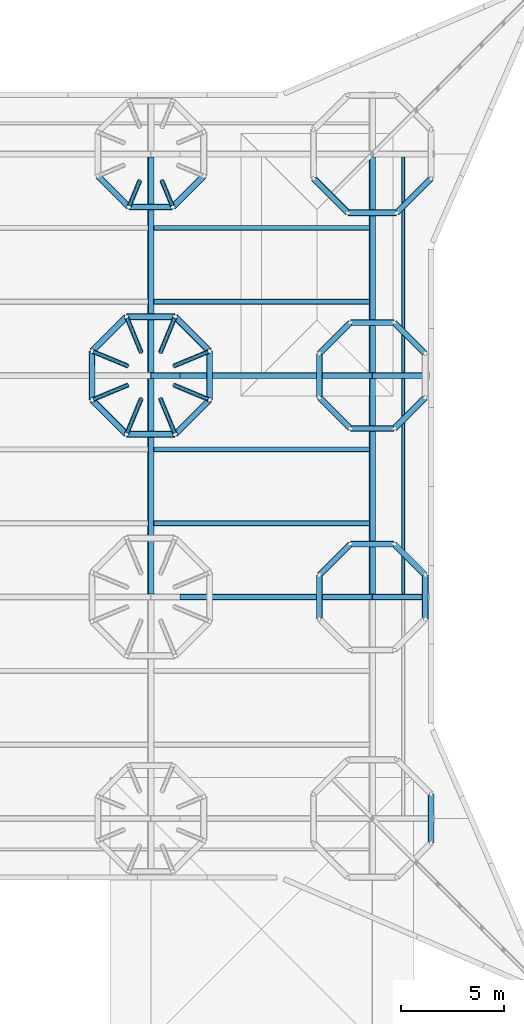
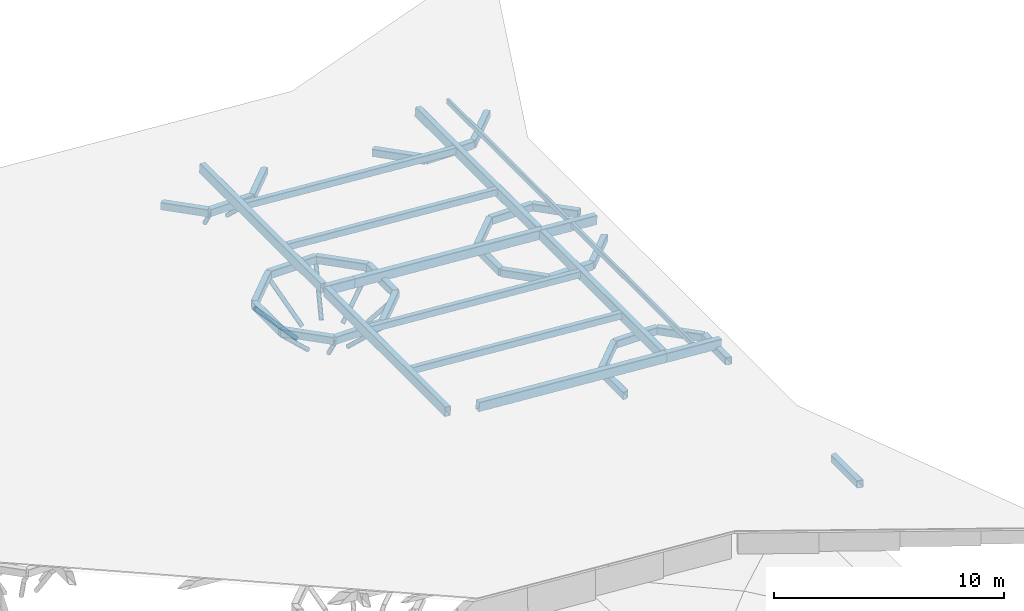
# One storey, part 40 of 95: 42 beams, 10 members.
"""IFC4 building model written with IfcOpenShell, lengths in metres."""

from ifc_helpers import new_model, si_unit, direction, frame, origin, origin_2d, place, context, subcontext, project, spatial, hollow_rectangle, hollow_circle, extrude, clip, halfspace, material, material_profile, profile_set, type_object, element, save


model = new_model("IFC4")

# Units and contexts
model_context = context("Model", 3, precision=1e-05, world=origin(), true_north=direction((0.0, 1.0)))
body_context = subcontext(model_context, "Body", "Model", "MODEL_VIEW")
ifc_project = project(units=[si_unit("LENGTHUNIT", "METRE"), si_unit("AREAUNIT", "SQUARE_METRE"), si_unit("VOLUMEUNIT", "CUBIC_METRE"), si_unit("PLANEANGLEUNIT", "RADIAN"), si_unit("MASSUNIT", "GRAM", prefix="KILO")], contexts=[model_context])

# Site, building, storey
site_placement = place(None, origin())
site = spatial("IfcSite", under=ifc_project, at=site_placement, CompositionType="ELEMENT")
building_placement = place(site_placement, origin())
building = spatial("IfcBuilding", under=site, at=building_placement, Name="Magnolia Steps Interchange", CompositionType="ELEMENT")
storey_placement = place(building_placement, frame((0.0, 0.0, 4.800048828125)))
storey = spatial("IfcBuildingStorey", under=building, at=storey_placement, Name="L01", CompositionType="ELEMENT", Elevation=4.800048828125)

# Beams
ifc_material_1 = material(Name="Steel Q355B", Category="steel")
ifc_material_profile_1 = material_profile(ifc_material_1, hollow_rectangle(XDim=0.300048828125, YDim=0.39990234375, WallThickness=0.013916015625, InnerFilletRadius=0.013916015625, OuterFilletRadius=0.028076171875, at=origin_2d()), Name="RHS400x300x14")
ifc_profile_set_1 = profile_set([ifc_material_profile_1], Name="Steel Q355B")
beam_type_1 = type_object("IfcBeamType", Name="Ring beam RHS400x300x14", PredefinedType="BEAM", material=ifc_profile_set_1)
beam_1_placement = place(storey_placement, frame((174.864013671875, 65.186279296875, 1.756103515625), z_axis=(-0.707106781187, 0.707106781187, 0.0), x_axis=(-0.707106781187, -0.707106781187, 0.0)))
element("IfcBeam", 1, at=beam_1_placement, inside=storey, type_object=beam_type_1, Name="Ring beam TC03C", PredefinedType="BEAM", context=body_context, shape_type="Clipping", body=[
    clip(clip(extrude(hollow_rectangle(XDim=0.300048828125, YDim=0.39990234375, WallThickness=0.013916015625, InnerFilletRadius=0.013916015625, OuterFilletRadius=0.028076171875, at=origin_2d()), origin(), (0.0, 0.0, 1.0), 2.37255859375), halfspace(frame((0.0, 0.0, 0.0), z_axis=(0.382683433, 0.0, -0.923879532), x_axis=(0.923879532, 0.0, 0.382683433)), False)), halfspace(frame((0.0, 0.0, 2.372674707), z_axis=(0.382683433, 0.0, 0.923879532), x_axis=(0.923879532, 0.0, -0.382683433)), False)),
])
beam_2_placement = place(storey_placement, frame((173.186279296875, 66.864013671875, 1.756103515625), z_axis=(-1.0, 0.0, 0.0), x_axis=(0.0, -1.0, 0.0)))
element("IfcBeam", 2, at=beam_2_placement, inside=storey, type_object=beam_type_1, Name="Ring beam TC03C", PredefinedType="BEAM", context=body_context, shape_type="Clipping", body=[
    clip(clip(extrude(hollow_rectangle(XDim=0.300048828125, YDim=0.39990234375, WallThickness=0.013916015625, InnerFilletRadius=0.013916015625, OuterFilletRadius=0.028076171875, at=origin_2d()), origin(), (0.0, 0.0, 1.0), 2.37255859375), halfspace(frame((0.0, 0.0, 0.0), z_axis=(0.382683432, 0.0, -0.923879533), x_axis=(0.923879533, 0.0, 0.382683432)), False)), halfspace(frame((0.0, 0.0, 2.372558594), z_axis=(0.382683432, 0.0, 0.923879533), x_axis=(0.923879533, 0.0, -0.382683432)), False)),
])
beam_3_placement = place(storey_placement, frame((170.813720703125, 66.864013671875, 1.756103515625), z_axis=(-0.707106781187, -0.707106781187, 0.0), x_axis=(0.707106781187, -0.707106781187, 0.0)))
element("IfcBeam", 3, at=beam_3_placement, inside=storey, type_object=beam_type_1, Name="Ring beam TC03C", PredefinedType="BEAM", context=body_context, shape_type="Clipping", body=[
    clip(clip(extrude(hollow_rectangle(XDim=0.300048828125, YDim=0.39990234375, WallThickness=0.013916015625, InnerFilletRadius=0.013916015625, OuterFilletRadius=0.028076171875, at=origin_2d()), origin(), (0.0, 0.0, 1.0), 2.37255859375), halfspace(frame((0.0, 0.0, 0.0), z_axis=(0.382683433, 0.0, -0.923879532), x_axis=(0.923879532, 0.0, 0.382683433)), False)), halfspace(frame((0.0, 0.0, 2.372674707), z_axis=(0.382683433, 0.0, 0.923879532), x_axis=(0.923879532, 0.0, -0.382683433)), False)),
])
beam_4_placement = place(storey_placement, frame((169.135986328125, 65.186279296875, 1.756103515625), z_axis=(0.0, -1.0, 0.0), x_axis=(1.0, 0.0, 0.0)))
element("IfcBeam", 4, at=beam_4_placement, inside=storey, type_object=beam_type_1, Name="Ring beam TC03C", PredefinedType="BEAM", context=body_context, shape_type="Clipping", body=[
    clip(clip(extrude(hollow_rectangle(XDim=0.300048828125, YDim=0.39990234375, WallThickness=0.013916015625, InnerFilletRadius=0.013916015625, OuterFilletRadius=0.028076171875, at=origin_2d()), origin(), (0.0, 0.0, 1.0), 2.37255859375), halfspace(frame((0.0, 0.0, 0.0), z_axis=(0.382683432, 0.0, -0.923879533), x_axis=(0.923879533, 0.0, 0.382683432)), False)), halfspace(frame((0.0, 0.0, 2.372558594), z_axis=(0.382683432, 0.0, 0.923879533), x_axis=(0.923879533, 0.0, -0.382683432)), False)),
])
beam_5_placement = place(storey_placement, frame((169.135986328125, 62.813720703125, 1.756103515625), z_axis=(0.707106781187, -0.707106781187, 0.0), x_axis=(0.707106781187, 0.707106781187, 0.0)))
element("IfcBeam", 5, at=beam_5_placement, inside=storey, type_object=beam_type_1, Name="Ring beam TC03C", PredefinedType="BEAM", context=body_context, shape_type="Clipping", body=[
    clip(clip(extrude(hollow_rectangle(XDim=0.300048828125, YDim=0.39990234375, WallThickness=0.013916015625, InnerFilletRadius=0.013916015625, OuterFilletRadius=0.028076171875, at=origin_2d()), origin(), (0.0, 0.0, 1.0), 2.37255859375), halfspace(frame((0.0, 0.0, 0.0), z_axis=(0.382683433, 0.0, -0.923879532), x_axis=(0.923879532, 0.0, 0.382683433)), False)), halfspace(frame((0.0, 0.0, 2.372674707), z_axis=(0.382683433, 0.0, 0.923879532), x_axis=(0.923879532, 0.0, -0.382683433)), False)),
])
beam_6_placement = place(storey_placement, frame((170.813720703125, 61.135986328125, 1.756103515625), z_axis=(1.0, 0.0, 0.0), x_axis=(0.0, 1.0, 0.0)))
element("IfcBeam", 6, at=beam_6_placement, inside=storey, type_object=beam_type_1, Name="Ring beam TC03C", PredefinedType="BEAM", context=body_context, shape_type="Clipping", body=[
    clip(clip(extrude(hollow_rectangle(XDim=0.300048828125, YDim=0.39990234375, WallThickness=0.013916015625, InnerFilletRadius=0.013916015625, OuterFilletRadius=0.028076171875, at=origin_2d()), origin(), (0.0, 0.0, 1.0), 2.37255859375), halfspace(frame((0.0, 0.0, 0.0), z_axis=(0.382683432, 0.0, -0.923879533), x_axis=(0.923879533, 0.0, 0.382683432)), False)), halfspace(frame((0.0, 0.0, 2.372558594), z_axis=(0.382683432, 0.0, 0.923879533), x_axis=(0.923879533, 0.0, -0.382683432)), False)),
])
beam_7_placement = place(storey_placement, frame((173.186279296875, 61.135986328125, 1.756103515625), z_axis=(0.707106781187, 0.707106781187, 0.0), x_axis=(-0.707106781187, 0.707106781187, 0.0)))
element("IfcBeam", 7, at=beam_7_placement, inside=storey, type_object=beam_type_1, Name="Ring beam TC03C", PredefinedType="BEAM", context=body_context, shape_type="Clipping", body=[
    clip(clip(extrude(hollow_rectangle(XDim=0.300048828125, YDim=0.39990234375, WallThickness=0.013916015625, InnerFilletRadius=0.013916015625, OuterFilletRadius=0.028076171875, at=origin_2d()), origin(), (0.0, 0.0, 1.0), 2.37255859375), halfspace(frame((0.0, 0.0, 0.0), z_axis=(0.382683433, 0.0, -0.923879532), x_axis=(0.923879532, 0.0, 0.382683433)), False)), halfspace(frame((0.0, 0.0, 2.372674707), z_axis=(0.382683433, 0.0, 0.923879532), x_axis=(0.923879532, 0.0, -0.382683433)), False)),
])
beam_8_placement = place(storey_placement, frame((174.864013671875, 62.813720703125, 1.756103515625), z_axis=(0.0, 1.0, 0.0), x_axis=(-1.0, 0.0, 0.0)))
element("IfcBeam", 8, at=beam_8_placement, inside=storey, type_object=beam_type_1, Name="Ring beam TC03C", PredefinedType="BEAM", context=body_context, shape_type="Clipping", body=[
    clip(clip(extrude(hollow_rectangle(XDim=0.300048828125, YDim=0.39990234375, WallThickness=0.013916015625, InnerFilletRadius=0.013916015625, OuterFilletRadius=0.028076171875, at=origin_2d()), origin(), (0.0, 0.0, 1.0), 2.37255859375), halfspace(frame((0.0, 0.0, 0.0), z_axis=(0.382683432, 0.0, -0.923879533), x_axis=(0.923879533, 0.0, 0.382683432)), False)), halfspace(frame((0.0, 0.0, 2.372558594), z_axis=(0.382683432, 0.0, 0.923879533), x_axis=(0.923879533, 0.0, -0.382683432)), False)),
])
beam_9_placement = place(storey_placement, frame((169.419921875, 73.731201171875, 1.756103515625), z_axis=(0.707163891131, -0.707049666629, 0.0), x_axis=(0.707049666629, 0.707163891131, 0.0)))
element("IfcBeam", 9, at=beam_9_placement, inside=storey, type_object=beam_type_1, Name="Ring beam TC03D", PredefinedType="BEAM", context=body_context, shape_type="Clipping", body=[
    clip(clip(extrude(hollow_rectangle(XDim=0.300048828125, YDim=0.39990234375, WallThickness=0.013916015625, InnerFilletRadius=0.013916015625, OuterFilletRadius=0.028076171875, at=origin_2d()), origin(), (0.0, 0.0, 1.0), 2.137451171875), halfspace(frame((0.0, 0.0, 0.0), z_axis=(0.382758052, 0.0, -0.92384862), x_axis=(0.923848621, 0.0, 0.382758052)), False)), halfspace(frame((0.0, 0.0, 2.137375265), z_axis=(0.382608811, 0.0, 0.923910438), x_axis=(0.923910438, 0.0, -0.382608811)), False)),
])
beam_10_placement = place(storey_placement, frame((170.931396484375, 72.219970703125, 1.756103515625), z_axis=(1.0, 0.0, 0.0), x_axis=(0.0, 1.0, 0.0)))
element("IfcBeam", 10, at=beam_10_placement, inside=storey, type_object=beam_type_1, Name="Ring beam TC03D", PredefinedType="BEAM", context=body_context, shape_type="Clipping", body=[
    clip(clip(extrude(hollow_rectangle(XDim=0.300048828125, YDim=0.39990234375, WallThickness=0.013916015625, InnerFilletRadius=0.013916015625, OuterFilletRadius=0.028076171875, at=origin_2d()), origin(), (0.0, 0.0, 1.0), 2.13720703125), halfspace(frame((0.0, 0.0, 0.0), z_axis=(0.382683432, 0.0, -0.923879533), x_axis=(0.923879533, 0.0, 0.382683432)), False)), halfspace(frame((0.0, 0.0, 2.137207031), z_axis=(0.382683432, 0.0, 0.923879533), x_axis=(0.923879533, 0.0, -0.382683432)), False)),
])
beam_11_placement = place(storey_placement, frame((173.068603515625, 72.219970703125, 1.756103515625), z_axis=(0.707163891131, 0.707049666629, 0.0), x_axis=(-0.707049666629, 0.707163891131, 0.0)))
element("IfcBeam", 11, at=beam_11_placement, inside=storey, type_object=beam_type_1, Name="Ring beam TC03D", PredefinedType="BEAM", context=body_context, shape_type="Clipping", body=[
    clip(clip(extrude(hollow_rectangle(XDim=0.300048828125, YDim=0.39990234375, WallThickness=0.013916015625, InnerFilletRadius=0.013916015625, OuterFilletRadius=0.028076171875, at=origin_2d()), origin(), (0.0, 0.0, 1.0), 2.137451171875), halfspace(frame((0.0, 0.0, 0.0), z_axis=(0.382608811, 0.0, -0.923910438), x_axis=(0.923910438, 0.0, 0.382608811)), False)), halfspace(frame((0.0, 0.0, 2.137375265), z_axis=(0.382758052, 0.0, 0.92384862), x_axis=(0.923848621, 0.0, -0.382758052)), False)),
])
beam_12_placement = place(storey_placement, frame((185.6640625, 41.213623046875, 0.96875), z_axis=(0.0, 1.0, 0.0), x_axis=(-1.0, 0.0, 0.0)))
element("IfcBeam", 12, at=beam_12_placement, inside=storey, type_object=beam_type_1, Name="Ring beam TC04A", PredefinedType="BEAM", context=body_context, shape_type="Clipping", body=[
    clip(clip(extrude(hollow_rectangle(XDim=0.300048828125, YDim=0.39990234375, WallThickness=0.013916015625, InnerFilletRadius=0.013916015625, OuterFilletRadius=0.028076171875, at=origin_2d()), origin(), (0.0, 0.0, 1.0), 2.37255859375), halfspace(frame((0.0, 0.0, 0.0), z_axis=(0.382683432, 0.0, -0.923879533), x_axis=(0.923879533, 0.0, 0.382683432)), False)), halfspace(frame((0.0, 0.0, 2.372558594), z_axis=(0.382683432, 0.0, 0.923879533), x_axis=(0.923879533, 0.0, -0.382683432)), False)),
])
beam_13_placement = place(storey_placement, frame((185.3798828125, 54.268798828125, 0.96875), z_axis=(-0.707106781187, 0.707106781187, 0.0), x_axis=(-0.707106781187, -0.707106781187, 0.0)))
element("IfcBeam", 13, at=beam_13_placement, inside=storey, type_object=beam_type_1, Name="Ring beam TC04B", PredefinedType="BEAM", context=body_context, shape_type="Clipping", body=[
    clip(clip(extrude(hollow_rectangle(XDim=0.300048828125, YDim=0.39990234375, WallThickness=0.013916015625, InnerFilletRadius=0.013916015625, OuterFilletRadius=0.028076171875, at=origin_2d()), origin(), (0.0, 0.0, 1.0), 2.13720703125), halfspace(frame((0.0, 0.0, 0.0), z_axis=(0.382683433, 0.0, -0.923879532), x_axis=(0.923879532, 0.0, 0.382683433)), False)), halfspace(frame((0.0, 0.0, 2.137202625), z_axis=(0.382683433, 0.0, 0.923879532), x_axis=(0.923879532, 0.0, -0.382683433)), False)),
])
beam_14_placement = place(storey_placement, frame((183.86865234375, 55.780029296875, 0.96875), z_axis=(-1.0, 0.0, 0.0), x_axis=(0.0, -1.0, 0.0)))
element("IfcBeam", 14, at=beam_14_placement, inside=storey, type_object=beam_type_1, Name="Ring beam TC04B", PredefinedType="BEAM", context=body_context, shape_type="Clipping", body=[
    clip(clip(extrude(hollow_rectangle(XDim=0.300048828125, YDim=0.39990234375, WallThickness=0.013916015625, InnerFilletRadius=0.013916015625, OuterFilletRadius=0.028076171875, at=origin_2d()), origin(), (0.0, 0.0, 1.0), 2.137451171875), halfspace(frame((0.0, 0.0, 0.0), z_axis=(0.382683432, 0.0, -0.923879533), x_axis=(0.923879533, 0.0, 0.382683432)), False)), halfspace(frame((0.0, 0.0, 2.137451172), z_axis=(0.382683432, 0.0, 0.923879533), x_axis=(0.923879533, 0.0, -0.382683432)), False)),
])
beam_15_placement = place(storey_placement, frame((181.731201171875, 55.780029296875, 0.96875), z_axis=(-0.707106781187, -0.707106781187, 0.0), x_axis=(0.707106781187, -0.707106781187, 0.0)))
element("IfcBeam", 15, at=beam_15_placement, inside=storey, type_object=beam_type_1, Name="Ring beam TC04B", PredefinedType="BEAM", context=body_context, shape_type="Clipping", body=[
    clip(clip(extrude(hollow_rectangle(XDim=0.300048828125, YDim=0.39990234375, WallThickness=0.013916015625, InnerFilletRadius=0.013916015625, OuterFilletRadius=0.028076171875, at=origin_2d()), origin(), (0.0, 0.0, 1.0), 2.13720703125), halfspace(frame((0.0, 0.0, 0.0), z_axis=(0.382683433, 0.0, -0.923879532), x_axis=(0.923879532, 0.0, 0.382683433)), False)), halfspace(frame((0.0, 0.0, 2.137202625), z_axis=(0.382683433, 0.0, 0.923879532), x_axis=(0.923879532, 0.0, -0.382683433)), False)),
])
for number, where, z_axis, x_axis, name in (
    (16, (180.219970703125, 54.268798828125, 0.96875), (0.0, -1.0, 0.0), (1.0, 0.0, 0.0), "Ring beam TC04B"),
    (17, (185.3798828125, 52.13134765625, 0.96875), (0.0, 1.0, 0.0), (-1.0, 0.0, 0.0), "Ring beam TC04B"),
):
    element("IfcBeam", number, at=place(storey_placement, frame(where, z_axis=z_axis, x_axis=x_axis)), inside=storey, type_object=beam_type_1, Name=name, PredefinedType="BEAM", context=body_context, shape_type="Clipping", body=[
        clip(clip(extrude(hollow_rectangle(XDim=0.300048828125, YDim=0.39990234375, WallThickness=0.013916015625, InnerFilletRadius=0.013916015625, OuterFilletRadius=0.028076171875, at=origin_2d()), origin(), (0.0, 0.0, 1.0), 2.137451171875), halfspace(frame((0.0, 0.0, 0.0), z_axis=(0.382683432, 0.0, -0.923879533), x_axis=(0.923879533, 0.0, 0.382683432)), False)), halfspace(frame((0.0, 0.0, 2.137451172), z_axis=(0.382683432, 0.0, 0.923879533), x_axis=(0.923879533, 0.0, -0.382683432)), False)),
    ])
beam_16_placement = place(storey_placement, frame((185.3798828125, 65.068603515625, 0.96875), z_axis=(-0.707049666629, 0.707163891131, 0.0), x_axis=(-0.707163891131, -0.707049666629, 0.0)))
element("IfcBeam", 18, at=beam_16_placement, inside=storey, type_object=beam_type_1, Name="Ring beam TC04C", PredefinedType="BEAM", context=body_context, shape_type="Clipping", body=[
    clip(clip(extrude(hollow_rectangle(XDim=0.300048828125, YDim=0.39990234375, WallThickness=0.013916015625, InnerFilletRadius=0.013916015625, OuterFilletRadius=0.028076171875, at=origin_2d()), origin(), (0.0, 0.0, 1.0), 2.137451171875), halfspace(frame((0.0, 0.0, 0.0), z_axis=(0.382608811, 0.0, -0.923910438), x_axis=(0.923910438, 0.0, 0.382608811)), False)), halfspace(frame((0.0, 0.0, 2.137375265), z_axis=(0.382758052, 0.0, 0.92384862), x_axis=(0.923848621, 0.0, -0.382758052)), False)),
])
beam_17_placement = place(storey_placement, frame((183.86865234375, 66.580078125, 0.96875), z_axis=(-1.0, 0.0, 0.0), x_axis=(0.0, -1.0, 0.0)))
element("IfcBeam", 19, at=beam_17_placement, inside=storey, type_object=beam_type_1, Name="Ring beam TC04C", PredefinedType="BEAM", context=body_context, shape_type="Clipping", body=[
    clip(clip(extrude(hollow_rectangle(XDim=0.300048828125, YDim=0.39990234375, WallThickness=0.013916015625, InnerFilletRadius=0.013916015625, OuterFilletRadius=0.028076171875, at=origin_2d()), origin(), (0.0, 0.0, 1.0), 2.137451171875), halfspace(frame((0.0, 0.0, 0.0), z_axis=(0.382683432, 0.0, -0.923879533), x_axis=(0.923879533, 0.0, 0.382683432)), False)), halfspace(frame((0.0, 0.0, 2.137451172), z_axis=(0.382683432, 0.0, 0.923879533), x_axis=(0.923879533, 0.0, -0.382683432)), False)),
])
beam_18_placement = place(storey_placement, frame((181.731201171875, 66.580078125, 0.96875), z_axis=(-0.707049666629, -0.707163891131, 0.0), x_axis=(0.707163891131, -0.707049666629, 0.0)))
element("IfcBeam", 20, at=beam_18_placement, inside=storey, type_object=beam_type_1, Name="Ring beam TC04C", PredefinedType="BEAM", context=body_context, shape_type="Clipping", body=[
    clip(clip(extrude(hollow_rectangle(XDim=0.300048828125, YDim=0.39990234375, WallThickness=0.013916015625, InnerFilletRadius=0.013916015625, OuterFilletRadius=0.028076171875, at=origin_2d()), origin(), (0.0, 0.0, 1.0), 2.137451171875), halfspace(frame((0.0, 0.0, 0.0), z_axis=(0.382758052, 0.0, -0.92384862), x_axis=(0.923848621, 0.0, 0.382758052)), False)), halfspace(frame((0.0, 0.0, 2.137375265), z_axis=(0.382608811, 0.0, 0.923910438), x_axis=(0.923910438, 0.0, -0.382608811)), False)),
])
beam_19_placement = place(storey_placement, frame((180.219970703125, 65.068603515625, 0.96875), z_axis=(0.0, -1.0, 0.0), x_axis=(1.0, 0.0, 0.0)))
element("IfcBeam", 21, at=beam_19_placement, inside=storey, type_object=beam_type_1, Name="Ring beam TC04C", PredefinedType="BEAM", context=body_context, shape_type="Clipping", body=[
    clip(clip(extrude(hollow_rectangle(XDim=0.300048828125, YDim=0.39990234375, WallThickness=0.013916015625, InnerFilletRadius=0.013916015625, OuterFilletRadius=0.028076171875, at=origin_2d()), origin(), (0.0, 0.0, 1.0), 2.13720703125), halfspace(frame((0.0, 0.0, 0.0), z_axis=(0.382683432, 0.0, -0.923879533), x_axis=(0.923879533, 0.0, 0.382683432)), False)), halfspace(frame((0.0, 0.0, 2.137207031), z_axis=(0.382683432, 0.0, 0.923879533), x_axis=(0.923879533, 0.0, -0.382683432)), False)),
])
beam_20_placement = place(storey_placement, frame((180.219970703125, 62.931396484375, 0.96875), z_axis=(0.707049666629, -0.707163891131, 0.0), x_axis=(0.707163891131, 0.707049666629, 0.0)))
element("IfcBeam", 22, at=beam_20_placement, inside=storey, type_object=beam_type_1, Name="Ring beam TC04C", PredefinedType="BEAM", context=body_context, shape_type="Clipping", body=[
    clip(clip(extrude(hollow_rectangle(XDim=0.300048828125, YDim=0.39990234375, WallThickness=0.013916015625, InnerFilletRadius=0.013916015625, OuterFilletRadius=0.028076171875, at=origin_2d()), origin(), (0.0, 0.0, 1.0), 2.137451171875), halfspace(frame((0.0, 0.0, 0.0), z_axis=(0.382608811, 0.0, -0.923910438), x_axis=(0.923910438, 0.0, 0.382608811)), False)), halfspace(frame((0.0, 0.0, 2.137375265), z_axis=(0.382758052, 0.0, 0.92384862), x_axis=(0.923848621, 0.0, -0.382758052)), False)),
])
beam_21_placement = place(storey_placement, frame((181.731201171875, 61.419921875, 0.96875), z_axis=(1.0, 0.0, 0.0), x_axis=(0.0, 1.0, 0.0)))
element("IfcBeam", 23, at=beam_21_placement, inside=storey, type_object=beam_type_1, Name="Ring beam TC04C", PredefinedType="BEAM", context=body_context, shape_type="Clipping", body=[
    clip(clip(extrude(hollow_rectangle(XDim=0.300048828125, YDim=0.39990234375, WallThickness=0.013916015625, InnerFilletRadius=0.013916015625, OuterFilletRadius=0.028076171875, at=origin_2d()), origin(), (0.0, 0.0, 1.0), 2.137451171875), halfspace(frame((0.0, 0.0, 0.0), z_axis=(0.382683432, 0.0, -0.923879533), x_axis=(0.923879533, 0.0, 0.382683432)), False)), halfspace(frame((0.0, 0.0, 2.137451172), z_axis=(0.382683432, 0.0, 0.923879533), x_axis=(0.923879533, 0.0, -0.382683432)), False)),
])
beam_22_placement = place(storey_placement, frame((183.86865234375, 61.419921875, 0.96875), z_axis=(0.707049666629, 0.707163891131, 0.0), x_axis=(-0.707163891131, 0.707049666629, 0.0)))
element("IfcBeam", 24, at=beam_22_placement, inside=storey, type_object=beam_type_1, Name="Ring beam TC04C", PredefinedType="BEAM", context=body_context, shape_type="Clipping", body=[
    clip(clip(extrude(hollow_rectangle(XDim=0.300048828125, YDim=0.39990234375, WallThickness=0.013916015625, InnerFilletRadius=0.013916015625, OuterFilletRadius=0.028076171875, at=origin_2d()), origin(), (0.0, 0.0, 1.0), 2.137451171875), halfspace(frame((0.0, 0.0, 0.0), z_axis=(0.382758052, 0.0, -0.92384862), x_axis=(0.923848621, 0.0, 0.382758052)), False)), halfspace(frame((0.0, 0.0, 2.137375265), z_axis=(0.382608811, 0.0, 0.923910438), x_axis=(0.923910438, 0.0, -0.382608811)), False)),
])
beam_23_placement = place(storey_placement, frame((179.93603515625, 73.61376953125, 0.96875), z_axis=(0.707106781187, -0.707106781187, 0.0), x_axis=(0.707106781187, 0.707106781187, 0.0)))
element("IfcBeam", 25, at=beam_23_placement, inside=storey, type_object=beam_type_1, Name="Ring beam TC04D", PredefinedType="BEAM", context=body_context, shape_type="Clipping", body=[
    clip(clip(extrude(hollow_rectangle(XDim=0.300048828125, YDim=0.39990234375, WallThickness=0.013916015625, InnerFilletRadius=0.013916015625, OuterFilletRadius=0.028076171875, at=origin_2d()), origin(), (0.0, 0.0, 1.0), 2.37255859375), halfspace(frame((0.0, 0.0, 0.0), z_axis=(0.382683433, 0.0, -0.923879532), x_axis=(0.923879532, 0.0, 0.382683433)), False)), halfspace(frame((0.0, 0.0, 2.372674707), z_axis=(0.382683433, 0.0, 0.923879532), x_axis=(0.923879532, 0.0, -0.382683433)), False)),
])
beam_24_placement = place(storey_placement, frame((181.61376953125, 71.93603515625, 0.96875), z_axis=(1.0, 0.0, 0.0), x_axis=(0.0, 1.0, 0.0)))
element("IfcBeam", 26, at=beam_24_placement, inside=storey, type_object=beam_type_1, Name="Ring beam TC04D", PredefinedType="BEAM", context=body_context, shape_type="Clipping", body=[
    clip(clip(extrude(hollow_rectangle(XDim=0.300048828125, YDim=0.39990234375, WallThickness=0.013916015625, InnerFilletRadius=0.013916015625, OuterFilletRadius=0.028076171875, at=origin_2d()), origin(), (0.0, 0.0, 1.0), 2.37255859375), halfspace(frame((0.0, 0.0, 0.0), z_axis=(0.382683432, 0.0, -0.923879533), x_axis=(0.923879533, 0.0, 0.382683432)), False)), halfspace(frame((0.0, 0.0, 2.372558594), z_axis=(0.382683432, 0.0, 0.923879533), x_axis=(0.923879533, 0.0, -0.382683432)), False)),
])
beam_25_placement = place(storey_placement, frame((183.986328125, 71.93603515625, 0.96875), z_axis=(0.707106781187, 0.707106781187, 0.0), x_axis=(-0.707106781187, 0.707106781187, 0.0)))
element("IfcBeam", 27, at=beam_25_placement, inside=storey, type_object=beam_type_1, Name="Ring beam TC04D", PredefinedType="BEAM", context=body_context, shape_type="Clipping", body=[
    clip(clip(extrude(hollow_rectangle(XDim=0.300048828125, YDim=0.39990234375, WallThickness=0.013916015625, InnerFilletRadius=0.013916015625, OuterFilletRadius=0.028076171875, at=origin_2d()), origin(), (0.0, 0.0, 1.0), 2.37255859375), halfspace(frame((0.0, 0.0, 0.0), z_axis=(0.382683433, 0.0, -0.923879532), x_axis=(0.923879532, 0.0, 0.382683433)), False)), halfspace(frame((0.0, 0.0, 2.372674707), z_axis=(0.382683433, 0.0, 0.923879532), x_axis=(0.923879532, 0.0, -0.382683433)), False)),
])
ifc_material_2 = material(Name="Steel Q355B", Category="steel")
ifc_material_profile_2 = material_profile(ifc_material_2, hollow_rectangle(XDim=0.300048828125, YDim=0.5, WallThickness=0.01611328125, InnerFilletRadius=0.01611328125, OuterFilletRadius=0.031982421875, at=origin_2d()), Name="RHS500x300x16")
ifc_profile_set_2 = profile_set([ifc_material_profile_2], Name="Steel Q355B")
beam_type_2 = type_object("IfcBeamType", Name="Roof beam RHS500x300x16", PredefinedType="BEAM", material=ifc_profile_set_2)
beam_26_placement = place(storey_placement, frame((173.39990234375, 53.199951171875, 2.153076171875), z_axis=(0.997353092785, 0.0, -0.072710441562), x_axis=(0.0, 1.0, 0.0)))
element("IfcBeam", 28, at=beam_26_placement, inside=storey, type_object=beam_type_2, Name="Roof beam", PredefinedType="BEAM", context=body_context, shape_type="SweptSolid", body=[
    extrude(hollow_rectangle(XDim=0.300048828125, YDim=0.5, WallThickness=0.01611328125, InnerFilletRadius=0.01611328125, OuterFilletRadius=0.031982421875, at=origin_2d()), origin(), (0.0, 0.0, 1.0), 9.425048828125),
])
beam_27_placement = place(storey_placement, frame((182.800048828125, 53.199951171875, 1.4677734375), z_axis=(0.997354349123, 0.0, -0.072693206592), x_axis=(0.0, 1.0, 0.0)))
element("IfcBeam", 29, at=beam_27_placement, inside=storey, type_object=beam_type_2, Name="Roof beam", PredefinedType="BEAM", context=body_context, shape_type="SweptSolid", body=[
    extrude(hollow_rectangle(XDim=0.300048828125, YDim=0.5, WallThickness=0.01611328125, InnerFilletRadius=0.01611328125, OuterFilletRadius=0.031982421875, at=origin_2d()), origin(), (0.0, 0.0, 1.0), 2.747314453125),
])
beam_28_placement = place(storey_placement, frame((172.0, 64.0, 2.25537109375), z_axis=(0.99734082034, 0.0, -0.072878584535), x_axis=(0.0, 1.0, 0.0)))
element("IfcBeam", 30, at=beam_28_placement, inside=storey, type_object=beam_type_2, Name="Roof beam", PredefinedType="BEAM", context=body_context, shape_type="SweptSolid", body=[
    extrude(hollow_rectangle(XDim=0.300048828125, YDim=0.5, WallThickness=0.01611328125, InnerFilletRadius=0.01611328125, OuterFilletRadius=0.031982421875, at=origin_2d()), origin(), (0.0, 0.0, 1.0), 1.403564453125),
])
beam_29_placement = place(storey_placement, frame((173.39990234375, 64.0, 2.153076171875), z_axis=(0.997353092785, 0.0, -0.072710441562), x_axis=(0.0, 1.0, 0.0)))
element("IfcBeam", 31, at=beam_29_placement, inside=storey, type_object=beam_type_2, Name="Roof beam", PredefinedType="BEAM", context=body_context, shape_type="SweptSolid", body=[
    extrude(hollow_rectangle(XDim=0.300048828125, YDim=0.5, WallThickness=0.01611328125, InnerFilletRadius=0.01611328125, OuterFilletRadius=0.031982421875, at=origin_2d()), origin(), (0.0, 0.0, 1.0), 9.425048828125),
])
beam_30_placement = place(storey_placement, frame((182.800048828125, 64.0, 1.4677734375), z_axis=(0.997354349123, 0.0, -0.072693206592), x_axis=(0.0, 1.0, 0.0)))
element("IfcBeam", 32, at=beam_30_placement, inside=storey, type_object=beam_type_2, Name="Roof beam", PredefinedType="BEAM", context=body_context, shape_type="SweptSolid", body=[
    extrude(hollow_rectangle(XDim=0.300048828125, YDim=0.5, WallThickness=0.01611328125, InnerFilletRadius=0.01611328125, OuterFilletRadius=0.031982421875, at=origin_2d()), origin(), (0.0, 0.0, 1.0), 2.747314453125),
])
for number, where, z_axis, x_axis, name in (
    (33, (172.0, 53.35009765625, 2.25537109375), (0.0, 1.0, 0.0), (-0.997352109794, 0.0, 0.072723923782), "Roof beam"),
    (34, (172.0, 64.14990234375, 2.25537109375), (0.0, 1.0, 0.0), (-0.997352109794, 0.0, 0.072723923782), "Roof beam"),
    (35, (182.800048828125, 53.35009765625, 1.4677734375), (0.0, 1.0, 0.0), (-0.997352109794, 0.0, 0.072723923782), "Roof beam"),
    (36, (182.800048828125, 64.14990234375, 1.4677734375), (0.0, 1.0, 0.0), (-0.997352109794, 0.0, 0.072723923782), "Roof beam"),
):
    element("IfcBeam", number, at=place(storey_placement, frame(where, z_axis=z_axis, x_axis=x_axis)), inside=storey, type_object=beam_type_2, Name=name, PredefinedType="BEAM", context=body_context, shape_type="SweptSolid", body=[
        extrude(hollow_rectangle(XDim=0.300048828125, YDim=0.5, WallThickness=0.01611328125, InnerFilletRadius=0.01611328125, OuterFilletRadius=0.031982421875, at=origin_2d()), origin(), (0.0, 0.0, 1.0), 10.5),
    ])
ifc_material_3 = material(Name="Steel Q355B", Category="steel")
ifc_material_profile_3 = material_profile(ifc_material_3, hollow_rectangle(XDim=0.14990234375, YDim=0.25, WallThickness=0.008056640625, InnerFilletRadius=0.008056640625, OuterFilletRadius=0.01611328125, at=origin_2d()), Name="RHS250x150x8")
ifc_profile_set_3 = profile_set([ifc_material_profile_3], Name="Steel Q355B")
beam_type_3 = type_object("IfcBeamType", Name="Roof edge joist RHS250x150x8", PredefinedType="BEAM", material=ifc_profile_set_3)
for number, where, z_axis, x_axis, name in (
    (37, (184.300048828125, 53.35009765625, 1.483642578125), (0.0, 1.0, 0.0), (-0.997352109794, 0.0, 0.072723923782), "Roof edge joist"),
    (38, (184.300048828125, 64.14990234375, 1.483642578125), (0.0, 1.0, 0.0), (-0.997352109794, 0.0, 0.072723923782), "Roof edge joist"),
):
    element("IfcBeam", number, at=place(storey_placement, frame(where, z_axis=z_axis, x_axis=x_axis)), inside=storey, type_object=beam_type_3, Name=name, PredefinedType="BEAM", context=body_context, shape_type="SweptSolid", body=[
        extrude(hollow_rectangle(XDim=0.14990234375, YDim=0.25, WallThickness=0.008056640625, InnerFilletRadius=0.008056640625, OuterFilletRadius=0.01611328125, at=origin_2d()), origin(), (0.0, 0.0, 1.0), 10.5),
    ])
ifc_material_4 = material(Name="Steel Q355B", Category="steel")
ifc_material_profile_4 = material_profile(ifc_material_4, hollow_rectangle(XDim=0.25, YDim=0.35009765625, WallThickness=0.011962890625, InnerFilletRadius=0.011962890625, OuterFilletRadius=0.02392578125, at=origin_2d()), Name="RHS350x250x12")
ifc_profile_set_4 = profile_set([ifc_material_profile_4], Name="Steel Q355B")
beam_type_4 = type_object("IfcBeamType", Name="Roof joist RHS350x250x12", PredefinedType="BEAM", material=ifc_profile_set_4)
for number, where, z_axis, x_axis, name in (
    (39, (172.14990234375, 56.800048828125, 2.3193359375), (0.997353815631, 0.0, -0.072700525763), (0.0, 1.0, 0.0), "Roof joist"),
    (40, (172.14990234375, 60.39990234375, 2.3193359375), (0.997353815631, 0.0, -0.072700525763), (0.0, 1.0, 0.0), "Roof joist"),
    (41, (172.14990234375, 67.60009765625, 2.3193359375), (0.997353815631, 0.0, -0.072700525763), (0.0, 1.0, 0.0), "Roof joist"),
    (42, (172.14990234375, 71.199951171875, 2.3193359375), (0.997353815631, 0.0, -0.072700525763), (0.0, 1.0, 0.0), "Roof joist"),
):
    element("IfcBeam", number, at=place(storey_placement, frame(where, z_axis=z_axis, x_axis=x_axis)), inside=storey, type_object=beam_type_4, Name=name, PredefinedType="BEAM", context=body_context, shape_type="SweptSolid", body=[
        extrude(hollow_rectangle(XDim=0.25, YDim=0.35009765625, WallThickness=0.011962890625, InnerFilletRadius=0.011962890625, OuterFilletRadius=0.02392578125, at=origin_2d()), origin(), (0.0, 0.0, 1.0), 10.52783203125),
    ])

# Members
ifc_material_5 = material(Name="Steel Q355B", Category="steel")
ifc_material_profile_5 = material_profile(ifc_material_5, hollow_circle(Radius=0.109619140625, WallThickness=0.010009765625, at=origin_2d()), Name="CHS219x10")
ifc_profile_set_5 = profile_set([ifc_material_profile_5], Name="Steel Q355B")
member_type = type_object("IfcMemberType", Name="Tree rib CHS219x10", PredefinedType="USERDEFINED", material=ifc_profile_set_5)
for number, where, z_axis, x_axis, name in (
    (43, (173.14892578125, 64.475830078125, -0.236572265625), (0.664576767411, 0.275290874472, 0.694660100085), (-0.382700239248, 0.923872570693, 0.0), "Tree rib TC03C"),
    (44, (172.475830078125, 65.14892578125, -0.236572265625), (0.275290874472, 0.664576767411, 0.694660100085), (-0.923872570693, 0.382700239248, 0.0), "Tree rib TC03C"),
    (45, (171.524169921875, 65.14892578125, -0.236572265625), (-0.275290874472, 0.664576767411, 0.694660100085), (-0.923872570693, -0.382700239248, 0.0), "Tree rib TC03C"),
    (46, (170.85107421875, 64.475830078125, -0.236572265625), (-0.664576767411, 0.275290874472, 0.694660100085), (-0.382700239248, -0.923872570693, 0.0), "Tree rib TC03C"),
    (47, (170.85107421875, 63.524169921875, -0.236572265625), (-0.664576767411, -0.275290874472, 0.694660100085), (0.382700239248, -0.923872570693, 0.0), "Tree rib TC03C"),
    (48, (171.524169921875, 62.85107421875, -0.236572265625), (-0.275290874472, -0.664576767411, 0.694660100085), (0.923872570693, -0.382700239248, 0.0), "Tree rib TC03C"),
    (49, (172.475830078125, 62.85107421875, -0.236572265625), (0.275290874472, -0.664576767411, 0.694660100085), (0.923872570693, 0.382700239248, 0.0), "Tree rib TC03C"),
    (50, (173.14892578125, 63.524169921875, -0.236572265625), (0.664576767411, -0.275290874472, 0.694660100085), (0.382700239248, 0.923872570693, 0.0), "Tree rib TC03C"),
):
    element("IfcMember", number, at=place(storey_placement, frame(where, z_axis=z_axis, x_axis=x_axis)), inside=storey, type_object=member_type, Name=name, ObjectType="TREE RIB", PredefinedType="USERDEFINED", context=body_context, shape_type="SweptSolid", body=[
        extrude(hollow_circle(Radius=0.109619140625, WallThickness=0.010009765625, at=origin_2d()), origin(), (0.0, 0.0, 1.0), 2.580810546875),
    ])
for number, where, z_axis, x_axis, name in (
    (51, (171.4521484375, 73.47705078125, 0.241943359375), (-0.275280629708, -0.664519438523, 0.694719001275), (0.923865933156, -0.382716262463, 0.0), "Tree rib TC03D"),
    (52, (172.5478515625, 73.47705078125, 0.241943359375), (0.275280629708, -0.664519438523, 0.694719001275), (0.923865933156, 0.382716262463, 0.0), "Tree rib TC03D"),
):
    element("IfcMember", number, at=place(storey_placement, frame(where, z_axis=z_axis, x_axis=x_axis)), inside=storey, type_object=member_type, Name=name, ObjectType="TREE RIB", PredefinedType="USERDEFINED", context=body_context, shape_type="SweptSolid", body=[
        extrude(hollow_circle(Radius=0.109619140625, WallThickness=0.010009765625, at=origin_2d()), origin(), (0.0, 0.0, 1.0), 1.8916015625),
    ])

save(model, "model.ifc")
